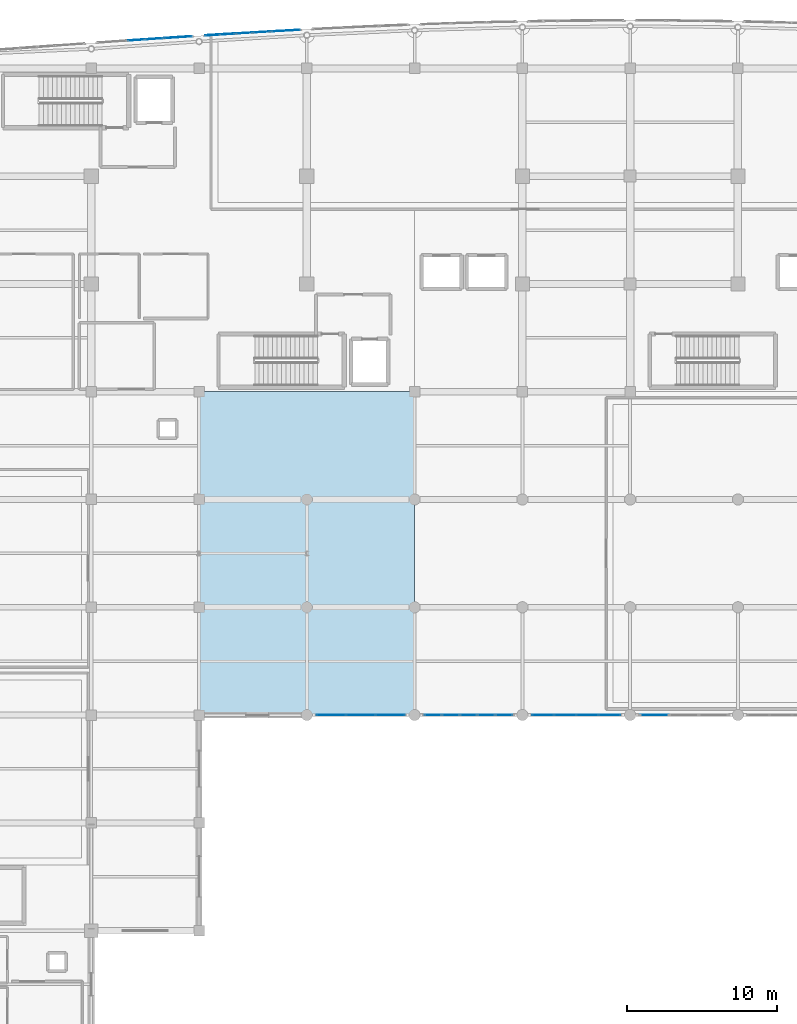
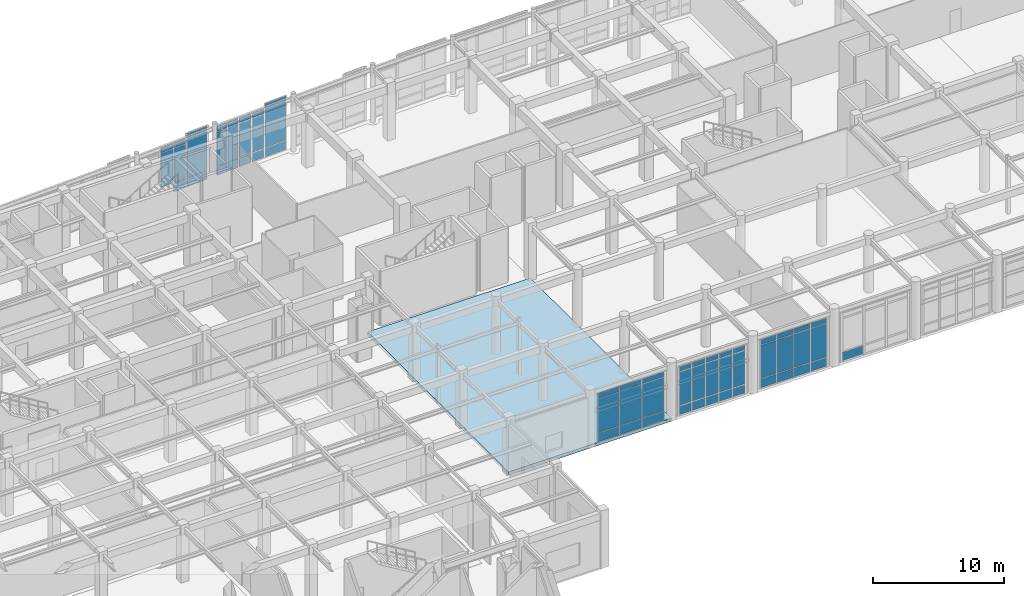
# One storey, part 64 of 102: 60 plates, 1 slab, 9 elements without a shape of their own.
"""IFC4 building model written with IfcOpenShell, lengths in metres."""

from ifc_helpers import new_model, si_unit, direction, frame, origin, origin_2d, place, context, subcontext, project, spatial, polyline, rectangle, outline, extrude, material, layer, layer_set, type_object, element, aggregate, save


model = new_model("IFC4")

# Units and contexts
model_context = context("Model", 3, precision=1e-05, world=origin(), true_north=direction((0.0, 1.0)))
body_context = subcontext(model_context, "Body", "Model", "MODEL_VIEW")
ifc_project = project(units=[si_unit("LENGTHUNIT", "METRE"), si_unit("AREAUNIT", "SQUARE_METRE"), si_unit("VOLUMEUNIT", "CUBIC_METRE"), si_unit("PLANEANGLEUNIT", "RADIAN"), si_unit("MASSUNIT", "GRAM", prefix="KILO")], contexts=[model_context])

# Site, building, storey
site_placement = place(None, origin())
site = spatial("IfcSite", under=ifc_project, at=site_placement, CompositionType="ELEMENT")
building_placement = place(site_placement, origin())
building = spatial("IfcBuilding", under=site, at=building_placement, Name="Carrowvane Square Congress Hotel", CompositionType="ELEMENT")
storey_placement = place(building_placement, origin())
storey = spatial("IfcBuildingStorey", under=building, at=storey_placement, Name="L00", CompositionType="ELEMENT", Elevation=0.0)

# Curtain wall, plates
ifc_material_1 = material(Name="Anodised aluminium", Category="aluminium")
ifc_layer_1 = layer(ifc_material_1, 0.24609375)
ifc_layer_set_1 = layer_set([ifc_layer_1], Name="Anodised aluminium")
curtain_wall_type_1 = type_object("IfcCurtainWallType", Name="CW-SYS-8", PredefinedType="NOTDEFINED", material=ifc_layer_set_1)
curtain_wall_1_placement = place(storey_placement, origin())
curtain_wall_1 = element("IfcCurtainWall", 1, at=curtain_wall_1_placement, inside=storey, type_object=curtain_wall_type_1, Name="L00 unitised curtain wall 15", PredefinedType="NOTDEFINED")
ifc_material_2 = material(Name="Double-glazed low-E glass", Category="glass")
ifc_layer_2 = layer(ifc_material_2, 0.028076171875)
ifc_layer_set_2 = layer_set([ifc_layer_2], Name="Double-glazed low-E glass")
plate_type_1 = type_object("IfcPlateType", Name="CW-PAN-1", PredefinedType="CURTAIN_PANEL", material=ifc_layer_set_2)
plate_1_placement = place(storey_placement, frame((72.217529296875, 115.7607421875, 0.070068359375), z_axis=(0.0, 0.0, 1.0), x_axis=(0.998266763162, 0.058851249486, 0.0)))
plate_1 = element("IfcPlate", 2, at=plate_1_placement, type_object=plate_type_1, Name="CW-8 panel 1.1", PredefinedType="CURTAIN_PANEL", context=body_context, shape_type="SweptSolid", body=[
    extrude(rectangle(XDim=1.09716796875, YDim=0.028076171875, at=origin_2d()), origin(), (0.0, 0.0, 1.0), 0.794921875),
])
plate_2_placement = place(storey_placement, frame((72.217529296875, 115.7607421875, 0.93505859375), z_axis=(0.0, 0.0, 1.0), x_axis=(0.998266763162, 0.058851249486, 0.0)))
plate_2 = element("IfcPlate", 3, at=plate_2_placement, type_object=plate_type_1, Name="CW-8 panel 1.2", PredefinedType="CURTAIN_PANEL", context=body_context, shape_type="SweptSolid", body=[
    extrude(rectangle(XDim=1.09716796875, YDim=0.028076171875, at=origin_2d()), origin(), (0.0, 0.0, 1.0), 3.155517578125),
])
plate_3_placement = place(storey_placement, frame((72.217529296875, 115.7607421875, 4.16064453125), z_axis=(0.0, 0.0, 1.0), x_axis=(0.998266763162, 0.058851249486, 0.0)))
plate_3 = element("IfcPlate", 4, at=plate_3_placement, type_object=plate_type_1, Name="CW-8 panel 1.3", PredefinedType="CURTAIN_PANEL", context=body_context, shape_type="SweptSolid", body=[
    extrude(rectangle(XDim=1.09716796875, YDim=0.028076171875, at=origin_2d()), origin(), (0.0, 0.0, 1.0), 0.445068359375),
])
plate_4_placement = place(storey_placement, frame((73.382568359375, 115.829345703125, 0.070068359375), z_axis=(0.0, 0.0, 1.0), x_axis=(0.998266763162, 0.058851249486, 0.0)))
plate_4 = element("IfcPlate", 5, at=plate_4_placement, type_object=plate_type_1, Name="CW-8 panel 2.1", PredefinedType="CURTAIN_PANEL", context=body_context, shape_type="SweptSolid", body=[
    extrude(rectangle(XDim=1.09716796875, YDim=0.028076171875, at=origin_2d()), origin(), (0.0, 0.0, 1.0), 0.794921875),
])
plate_5_placement = place(storey_placement, frame((73.382568359375, 115.829345703125, 0.93505859375), z_axis=(0.0, 0.0, 1.0), x_axis=(0.998266763162, 0.058851249486, 0.0)))
plate_5 = element("IfcPlate", 6, at=plate_5_placement, type_object=plate_type_1, Name="CW-8 panel 2.2", PredefinedType="CURTAIN_PANEL", context=body_context, shape_type="SweptSolid", body=[
    extrude(rectangle(XDim=1.09716796875, YDim=0.028076171875, at=origin_2d()), origin(), (0.0, 0.0, 1.0), 3.155517578125),
])
plate_6_placement = place(storey_placement, frame((73.382568359375, 115.829345703125, 4.16064453125), z_axis=(0.0, 0.0, 1.0), x_axis=(0.998266763162, 0.058851249486, 0.0)))
plate_6 = element("IfcPlate", 7, at=plate_6_placement, type_object=plate_type_1, Name="CW-8 panel 2.3", PredefinedType="CURTAIN_PANEL", context=body_context, shape_type="SweptSolid", body=[
    extrude(rectangle(XDim=1.09716796875, YDim=0.028076171875, at=origin_2d()), origin(), (0.0, 0.0, 1.0), 0.445068359375),
])
aggregate(curtain_wall_1, [plate_1, plate_2, plate_3, plate_4, plate_5, plate_6])

curtain_wall_2_placement = place(storey_placement, origin())
curtain_wall_2 = element("IfcCurtainWall", 8, at=curtain_wall_2_placement, inside=storey, type_object=curtain_wall_type_1, Name="L00 unitised curtain wall 55", PredefinedType="NOTDEFINED")
plate_7_placement = place(storey_placement, frame((89.570556640625, 70.199951171875, 0.070068359375), z_axis=(0.0, 0.0, 1.0), x_axis=(-1.0, 0.0, 0.0)))
plate_7 = element("IfcPlate", 9, at=plate_7_placement, type_object=plate_type_1, Name="CW-8 panel 1.1", PredefinedType="CURTAIN_PANEL", context=body_context, shape_type="SweptSolid", body=[
    extrude(rectangle(XDim=1.089111328125, YDim=0.028076171875, at=origin_2d()), origin(), (0.0, 0.0, 1.0), 0.794921875),
])
plate_8_placement = place(storey_placement, frame((89.570556640625, 70.199951171875, 0.93505859375), z_axis=(0.0, 0.0, 1.0), x_axis=(-1.0, 0.0, 0.0)))
plate_8 = element("IfcPlate", 10, at=plate_8_placement, type_object=plate_type_1, Name="CW-8 panel 1.2", PredefinedType="CURTAIN_PANEL", context=body_context, shape_type="SweptSolid", body=[
    extrude(rectangle(XDim=1.089111328125, YDim=0.028076171875, at=origin_2d()), origin(), (0.0, 0.0, 1.0), 3.10498046875),
])
plate_9_placement = place(storey_placement, frame((89.570556640625, 70.199951171875, 4.10986328125), z_axis=(0.0, 0.0, 1.0), x_axis=(-1.0, 0.0, 0.0)))
plate_9 = element("IfcPlate", 11, at=plate_9_placement, type_object=plate_type_1, Name="CW-8 panel 1.3", PredefinedType="CURTAIN_PANEL", context=body_context, shape_type="SweptSolid", body=[
    extrude(rectangle(XDim=1.089111328125, YDim=0.028076171875, at=origin_2d()), origin(), (0.0, 0.0, 1.0), 0.445068359375),
])
plate_10_placement = place(storey_placement, frame((88.39404296875, 70.199951171875, 0.070068359375), z_axis=(0.0, 0.0, 1.0), x_axis=(-1.0, 0.0, 0.0)))
plate_10 = element("IfcPlate", 12, at=plate_10_placement, type_object=plate_type_1, Name="CW-8 panel 2.1", PredefinedType="CURTAIN_PANEL", context=body_context, shape_type="SweptSolid", body=[
    extrude(rectangle(XDim=1.1240234375, YDim=0.028076171875, at=origin_2d()), origin(), (0.0, 0.0, 1.0), 0.794921875),
])
plate_11_placement = place(storey_placement, frame((88.39404296875, 70.199951171875, 0.93505859375), z_axis=(0.0, 0.0, 1.0), x_axis=(-1.0, 0.0, 0.0)))
plate_11 = element("IfcPlate", 13, at=plate_11_placement, type_object=plate_type_1, Name="CW-8 panel 2.2", PredefinedType="CURTAIN_PANEL", context=body_context, shape_type="SweptSolid", body=[
    extrude(rectangle(XDim=1.1240234375, YDim=0.028076171875, at=origin_2d()), origin(), (0.0, 0.0, 1.0), 3.10498046875),
])
plate_12_placement = place(storey_placement, frame((88.39404296875, 70.199951171875, 4.10986328125), z_axis=(0.0, 0.0, 1.0), x_axis=(-1.0, 0.0, 0.0)))
plate_12 = element("IfcPlate", 14, at=plate_12_placement, type_object=plate_type_1, Name="CW-8 panel 2.3", PredefinedType="CURTAIN_PANEL", context=body_context, shape_type="SweptSolid", body=[
    extrude(rectangle(XDim=1.1240234375, YDim=0.028076171875, at=origin_2d()), origin(), (0.0, 0.0, 1.0), 0.445068359375),
])
plate_13_placement = place(storey_placement, frame((87.199951171875, 70.199951171875, 0.070068359375), z_axis=(0.0, 0.0, 1.0), x_axis=(-1.0, 0.0, 0.0)))
plate_13 = element("IfcPlate", 15, at=plate_13_placement, type_object=plate_type_1, Name="CW-8 panel 3.1", PredefinedType="CURTAIN_PANEL", context=body_context, shape_type="SweptSolid", body=[
    extrude(rectangle(XDim=1.1240234375, YDim=0.028076171875, at=origin_2d()), origin(), (0.0, 0.0, 1.0), 0.794921875),
])
plate_14_placement = place(storey_placement, frame((87.199951171875, 70.199951171875, 0.93505859375), z_axis=(0.0, 0.0, 1.0), x_axis=(-1.0, 0.0, 0.0)))
plate_14 = element("IfcPlate", 16, at=plate_14_placement, type_object=plate_type_1, Name="CW-8 panel 3.2", PredefinedType="CURTAIN_PANEL", context=body_context, shape_type="SweptSolid", body=[
    extrude(rectangle(XDim=1.1240234375, YDim=0.028076171875, at=origin_2d()), origin(), (0.0, 0.0, 1.0), 3.10498046875),
])
plate_15_placement = place(storey_placement, frame((87.199951171875, 70.199951171875, 4.10986328125), z_axis=(0.0, 0.0, 1.0), x_axis=(-1.0, 0.0, 0.0)))
plate_15 = element("IfcPlate", 17, at=plate_15_placement, type_object=plate_type_1, Name="CW-8 panel 3.3", PredefinedType="CURTAIN_PANEL", context=body_context, shape_type="SweptSolid", body=[
    extrude(rectangle(XDim=1.1240234375, YDim=0.028076171875, at=origin_2d()), origin(), (0.0, 0.0, 1.0), 0.445068359375),
])
plate_16_placement = place(storey_placement, frame((86.006103515625, 70.199951171875, 0.070068359375), z_axis=(0.0, 0.0, 1.0), x_axis=(-1.0, 0.0, 0.0)))
plate_16 = element("IfcPlate", 18, at=plate_16_placement, type_object=plate_type_1, Name="CW-8 panel 4.1", PredefinedType="CURTAIN_PANEL", context=body_context, shape_type="SweptSolid", body=[
    extrude(rectangle(XDim=1.1240234375, YDim=0.028076171875, at=origin_2d()), origin(), (0.0, 0.0, 1.0), 0.794921875),
])
plate_17_placement = place(storey_placement, frame((86.006103515625, 70.199951171875, 0.93505859375), z_axis=(0.0, 0.0, 1.0), x_axis=(-1.0, 0.0, 0.0)))
plate_17 = element("IfcPlate", 19, at=plate_17_placement, type_object=plate_type_1, Name="CW-8 panel 4.2", PredefinedType="CURTAIN_PANEL", context=body_context, shape_type="SweptSolid", body=[
    extrude(rectangle(XDim=1.1240234375, YDim=0.028076171875, at=origin_2d()), origin(), (0.0, 0.0, 1.0), 3.10498046875),
])
plate_18_placement = place(storey_placement, frame((86.006103515625, 70.199951171875, 4.10986328125), z_axis=(0.0, 0.0, 1.0), x_axis=(-1.0, 0.0, 0.0)))
plate_18 = element("IfcPlate", 20, at=plate_18_placement, type_object=plate_type_1, Name="CW-8 panel 4.3", PredefinedType="CURTAIN_PANEL", context=body_context, shape_type="SweptSolid", body=[
    extrude(rectangle(XDim=1.1240234375, YDim=0.028076171875, at=origin_2d()), origin(), (0.0, 0.0, 1.0), 0.445068359375),
])
plate_19_placement = place(storey_placement, frame((84.82958984375, 70.199951171875, 0.070068359375), z_axis=(0.0, 0.0, 1.0), x_axis=(-1.0, 0.0, 0.0)))
plate_19 = element("IfcPlate", 21, at=plate_19_placement, type_object=plate_type_1, Name="CW-8 panel 5.1", PredefinedType="CURTAIN_PANEL", context=body_context, shape_type="SweptSolid", body=[
    extrude(rectangle(XDim=1.089111328125, YDim=0.028076171875, at=origin_2d()), origin(), (0.0, 0.0, 1.0), 0.794921875),
])
plate_20_placement = place(storey_placement, frame((84.82958984375, 70.199951171875, 0.93505859375), z_axis=(0.0, 0.0, 1.0), x_axis=(-1.0, 0.0, 0.0)))
plate_20 = element("IfcPlate", 22, at=plate_20_placement, type_object=plate_type_1, Name="CW-8 panel 5.2", PredefinedType="CURTAIN_PANEL", context=body_context, shape_type="SweptSolid", body=[
    extrude(rectangle(XDim=1.089111328125, YDim=0.028076171875, at=origin_2d()), origin(), (0.0, 0.0, 1.0), 3.10498046875),
])
plate_21_placement = place(storey_placement, frame((84.82958984375, 70.199951171875, 4.10986328125), z_axis=(0.0, 0.0, 1.0), x_axis=(-1.0, 0.0, 0.0)))
plate_21 = element("IfcPlate", 23, at=plate_21_placement, type_object=plate_type_1, Name="CW-8 panel 5.3", PredefinedType="CURTAIN_PANEL", context=body_context, shape_type="SweptSolid", body=[
    extrude(rectangle(XDim=1.089111328125, YDim=0.028076171875, at=origin_2d()), origin(), (0.0, 0.0, 1.0), 0.445068359375),
])
aggregate(curtain_wall_2, [plate_7, plate_8, plate_9, plate_10, plate_11, plate_12, plate_13, plate_14, plate_15, plate_16, plate_17, plate_18, plate_19, plate_20, plate_21])

ifc_material_3 = material(Name="Anodised aluminium", Category="aluminium")
ifc_layer_3 = layer(ifc_material_3, 0.162109375)
ifc_layer_set_3 = layer_set([ifc_layer_3], Name="Anodised aluminium")
curtain_wall_type_2 = type_object("IfcCurtainWallType", Name="CW-SYS-1", PredefinedType="NOTDEFINED", material=ifc_layer_set_3)
curtain_wall_3_placement = place(storey_placement, origin())
curtain_wall_3 = element("IfcCurtainWall", 24, at=curtain_wall_3_placement, inside=storey, type_object=curtain_wall_type_2, Name="L00 unitised curtain wall 16", PredefinedType="NOTDEFINED")
ifc_material_4 = material(Name="Double-glazed low-E glass", Category="glass")
ifc_layer_4 = layer(ifc_material_4, 0.031982421875)
ifc_layer_set_4 = layer_set([ifc_layer_4], Name="Double-glazed low-E glass")
plate_type_2 = type_object("IfcPlateType", Name="CW-PAN-2", PredefinedType="CURTAIN_PANEL", material=ifc_layer_set_4)
plate_22_placement = place(storey_placement, frame((74.997802734375, 115.920654296875, 0.06005859375), z_axis=(0.0, 0.0, 1.0), x_axis=(0.998496473856, 0.054815980317, 0.0)))
plate_22 = element("IfcPlate", 25, at=plate_22_placement, type_object=plate_type_2, Name="CW-1 panel 1.1", PredefinedType="CURTAIN_PANEL", context=body_context, shape_type="SweptSolid", body=[
    extrude(rectangle(XDim=1.87841796875, YDim=0.031982421875, at=origin_2d()), origin(), (0.0, 0.0, 1.0), 0.81005859375),
])
plate_23_placement = place(storey_placement, frame((74.997802734375, 115.920654296875, 0.93017578125), z_axis=(0.0, 0.0, 1.0), x_axis=(0.998496473856, 0.054815980317, 0.0)))
plate_23 = element("IfcPlate", 26, at=plate_23_placement, type_object=plate_type_2, Name="CW-1 panel 1.2", PredefinedType="CURTAIN_PANEL", context=body_context, shape_type="SweptSolid", body=[
    extrude(rectangle(XDim=1.87841796875, YDim=0.031982421875, at=origin_2d()), origin(), (0.0, 0.0, 1.0), 3.590087890625),
])
plate_24_placement = place(storey_placement, frame((74.997802734375, 115.920654296875, 4.580078125), z_axis=(0.0, 0.0, 1.0), x_axis=(0.998496473856, 0.054815980317, 0.0)))
plate_24 = element("IfcPlate", 27, at=plate_24_placement, type_object=plate_type_2, Name="CW-1 panel 1.3", PredefinedType="CURTAIN_PANEL", context=body_context, shape_type="SweptSolid", body=[
    extrude(rectangle(XDim=1.87841796875, YDim=0.031982421875, at=origin_2d()), origin(), (0.0, 0.0, 1.0), 0.4599609375),
])
aggregate(curtain_wall_3, [plate_22, plate_23, plate_24])

curtain_wall_4_placement = place(storey_placement, origin())
curtain_wall_4 = element("IfcCurtainWall", 28, at=curtain_wall_4_placement, inside=storey, type_object=curtain_wall_type_2, Name="L00 unitised curtain wall 56", PredefinedType="NOTDEFINED")
plate_25_placement = place(storey_placement, frame((81.97509765625, 70.199951171875, 0.06005859375), z_axis=(0.0, 0.0, 1.0), x_axis=(-1.0, 0.0, 0.0)))
plate_25 = element("IfcPlate", 29, at=plate_25_placement, type_object=plate_type_2, Name="CW-1 panel 1.1", PredefinedType="CURTAIN_PANEL", context=body_context, shape_type="SweptSolid", body=[
    extrude(rectangle(XDim=1.89990234375, YDim=0.031982421875, at=origin_2d()), origin(), (0.0, 0.0, 1.0), 0.81005859375),
])
plate_26_placement = place(storey_placement, frame((81.97509765625, 70.199951171875, 0.93017578125), z_axis=(0.0, 0.0, 1.0), x_axis=(-1.0, 0.0, 0.0)))
plate_26 = element("IfcPlate", 30, at=plate_26_placement, type_object=plate_type_2, Name="CW-1 panel 1.2", PredefinedType="CURTAIN_PANEL", context=body_context, shape_type="SweptSolid", body=[
    extrude(rectangle(XDim=1.89990234375, YDim=0.031982421875, at=origin_2d()), origin(), (0.0, 0.0, 1.0), 3.114990234375),
])
plate_27_placement = place(storey_placement, frame((81.97509765625, 70.199951171875, 4.10498046875), z_axis=(0.0, 0.0, 1.0), x_axis=(-1.0, 0.0, 0.0)))
plate_27 = element("IfcPlate", 31, at=plate_27_placement, type_object=plate_type_2, Name="CW-1 panel 1.3", PredefinedType="CURTAIN_PANEL", context=body_context, shape_type="SweptSolid", body=[
    extrude(rectangle(XDim=1.89990234375, YDim=0.031982421875, at=origin_2d()), origin(), (0.0, 0.0, 1.0), 0.4599609375),
])
plate_28_placement = place(storey_placement, frame((80.0, 70.199951171875, 0.06005859375), z_axis=(0.0, 0.0, 1.0), x_axis=(-1.0, 0.0, 0.0)))
plate_28 = element("IfcPlate", 32, at=plate_28_placement, type_object=plate_type_2, Name="CW-1 panel 2.1", PredefinedType="CURTAIN_PANEL", context=body_context, shape_type="SweptSolid", body=[
    extrude(rectangle(XDim=1.929931640625, YDim=0.031982421875, at=origin_2d()), origin(), (0.0, 0.0, 1.0), 0.81005859375),
])
plate_29_placement = place(storey_placement, frame((80.0, 70.199951171875, 0.93017578125), z_axis=(0.0, 0.0, 1.0), x_axis=(-1.0, 0.0, 0.0)))
plate_29 = element("IfcPlate", 33, at=plate_29_placement, type_object=plate_type_2, Name="CW-1 panel 2.2", PredefinedType="CURTAIN_PANEL", context=body_context, shape_type="SweptSolid", body=[
    extrude(rectangle(XDim=1.929931640625, YDim=0.031982421875, at=origin_2d()), origin(), (0.0, 0.0, 1.0), 3.114990234375),
])
plate_30_placement = place(storey_placement, frame((80.0, 70.199951171875, 4.10498046875), z_axis=(0.0, 0.0, 1.0), x_axis=(-1.0, 0.0, 0.0)))
plate_30 = element("IfcPlate", 34, at=plate_30_placement, type_object=plate_type_2, Name="CW-1 panel 2.3", PredefinedType="CURTAIN_PANEL", context=body_context, shape_type="SweptSolid", body=[
    extrude(rectangle(XDim=1.929931640625, YDim=0.031982421875, at=origin_2d()), origin(), (0.0, 0.0, 1.0), 0.4599609375),
])
plate_31_placement = place(storey_placement, frame((78.02490234375, 70.199951171875, 0.06005859375), z_axis=(0.0, 0.0, 1.0), x_axis=(-1.0, 0.0, 0.0)))
plate_31 = element("IfcPlate", 35, at=plate_31_placement, type_object=plate_type_2, Name="CW-1 panel 3.1", PredefinedType="CURTAIN_PANEL", context=body_context, shape_type="SweptSolid", body=[
    extrude(rectangle(XDim=1.89990234375, YDim=0.031982421875, at=origin_2d()), origin(), (0.0, 0.0, 1.0), 0.81005859375),
])
plate_32_placement = place(storey_placement, frame((78.02490234375, 70.199951171875, 0.93017578125), z_axis=(0.0, 0.0, 1.0), x_axis=(-1.0, 0.0, 0.0)))
plate_32 = element("IfcPlate", 36, at=plate_32_placement, type_object=plate_type_2, Name="CW-1 panel 3.2", PredefinedType="CURTAIN_PANEL", context=body_context, shape_type="SweptSolid", body=[
    extrude(rectangle(XDim=1.89990234375, YDim=0.031982421875, at=origin_2d()), origin(), (0.0, 0.0, 1.0), 3.114990234375),
])
plate_33_placement = place(storey_placement, frame((78.02490234375, 70.199951171875, 4.10498046875), z_axis=(0.0, 0.0, 1.0), x_axis=(-1.0, 0.0, 0.0)))
plate_33 = element("IfcPlate", 37, at=plate_33_placement, type_object=plate_type_2, Name="CW-1 panel 3.3", PredefinedType="CURTAIN_PANEL", context=body_context, shape_type="SweptSolid", body=[
    extrude(rectangle(XDim=1.89990234375, YDim=0.031982421875, at=origin_2d()), origin(), (0.0, 0.0, 1.0), 0.4599609375),
])
aggregate(curtain_wall_4, [plate_25, plate_26, plate_27, plate_28, plate_29, plate_30, plate_31, plate_32, plate_33])

ifc_material_5 = material(Name="Anodised aluminium", Category="aluminium")
ifc_layer_5 = layer(ifc_material_5, 0.2099609375)
ifc_layer_set_5 = layer_set([ifc_layer_5], Name="Anodised aluminium")
curtain_wall_type_3 = type_object("IfcCurtainWallType", Name="CW-SYS-5", PredefinedType="NOTDEFINED", material=ifc_layer_set_5)
curtain_wall_5_placement = place(storey_placement, origin())
curtain_wall_5 = element("IfcCurtainWall", 38, at=curtain_wall_5_placement, inside=storey, type_object=curtain_wall_type_3, Name="L00 unitised curtain wall 12", PredefinedType="NOTDEFINED")
ifc_material_6 = material(Name="Double-glazed low-E glass", Category="glass")
ifc_layer_6 = layer(ifc_material_6, 0.035888671875)
ifc_layer_set_6 = layer_set([ifc_layer_6], Name="Double-glazed low-E glass")
plate_type_3 = type_object("IfcPlateType", Name="CW-PAN-3", PredefinedType="CURTAIN_PANEL", material=ifc_layer_set_6)
plate_34_placement = place(storey_placement, frame((65.014892578125, 115.295654296875, 0.929931640625), z_axis=(0.0, 0.0, 1.0), x_axis=(0.997694484404, 0.067865424104, 0.0)))
plate_34 = element("IfcPlate", 39, at=plate_34_placement, type_object=plate_type_3, Name="CW-5 panel 1.2", PredefinedType="CURTAIN_PANEL", context=body_context, shape_type="SweptSolid", body=[
    extrude(rectangle(XDim=1.11279296875, YDim=0.035888671875, at=origin_2d()), origin(), (0.0, 0.0, 1.0), 3.16552734375),
])
plate_35_placement = place(storey_placement, frame((65.014892578125, 115.295654296875, 4.155517578125), z_axis=(0.0, 0.0, 1.0), x_axis=(0.997694484404, 0.067865424104, 0.0)))
plate_35 = element("IfcPlate", 40, at=plate_35_placement, type_object=plate_type_3, Name="CW-5 panel 1.3", PredefinedType="CURTAIN_PANEL", context=body_context, shape_type="SweptSolid", body=[
    extrude(rectangle(XDim=1.11279296875, YDim=0.035888671875, at=origin_2d()), origin(), (0.0, 0.0, 1.0), 0.4599609375),
])
plate_36_placement = place(storey_placement, frame((66.18505859375, 115.375244140625, 0.06005859375), z_axis=(0.0, 0.0, 1.0), x_axis=(0.997694484404, 0.067865424104, 0.0)))
plate_36 = element("IfcPlate", 41, at=plate_36_placement, type_object=plate_type_3, Name="CW-5 panel 2.1", PredefinedType="CURTAIN_PANEL", context=body_context, shape_type="SweptSolid", body=[
    extrude(rectangle(XDim=1.11279296875, YDim=0.035888671875, at=origin_2d()), origin(), (0.0, 0.0, 1.0), 0.81005859375),
])
plate_37_placement = place(storey_placement, frame((66.18505859375, 115.375244140625, 0.929931640625), z_axis=(0.0, 0.0, 1.0), x_axis=(0.997694484404, 0.067865424104, 0.0)))
plate_37 = element("IfcPlate", 42, at=plate_37_placement, type_object=plate_type_3, Name="CW-5 panel 2.2", PredefinedType="CURTAIN_PANEL", context=body_context, shape_type="SweptSolid", body=[
    extrude(rectangle(XDim=1.11279296875, YDim=0.035888671875, at=origin_2d()), origin(), (0.0, 0.0, 1.0), 3.16552734375),
])
plate_38_placement = place(storey_placement, frame((66.18505859375, 115.375244140625, 4.155517578125), z_axis=(0.0, 0.0, 1.0), x_axis=(0.997694484404, 0.067865424104, 0.0)))
plate_38 = element("IfcPlate", 43, at=plate_38_placement, type_object=plate_type_3, Name="CW-5 panel 2.3", PredefinedType="CURTAIN_PANEL", context=body_context, shape_type="SweptSolid", body=[
    extrude(rectangle(XDim=1.11279296875, YDim=0.035888671875, at=origin_2d()), origin(), (0.0, 0.0, 1.0), 0.4599609375),
])
aggregate(curtain_wall_5, [plate_34, plate_35, plate_36, plate_37, plate_38])

ifc_material_7 = material(Name="Anodised aluminium", Category="aluminium")
ifc_layer_7 = layer(ifc_material_7, 0.221923828125)
ifc_layer_set_7 = layer_set([ifc_layer_7], Name="Anodised aluminium")
curtain_wall_type_4 = type_object("IfcCurtainWallType", Name="CW-SYS-6", PredefinedType="NOTDEFINED", material=ifc_layer_set_7)
curtain_wall_6_placement = place(storey_placement, origin())
curtain_wall_6 = element("IfcCurtainWall", 44, at=curtain_wall_6_placement, inside=storey, type_object=curtain_wall_type_4, Name="L00 unitised curtain wall 13", PredefinedType="NOTDEFINED")
ifc_material_8 = material(Name="Double-glazed low-E glass", Category="glass")
ifc_layer_8 = layer(ifc_material_8, 0.0419921875)
ifc_layer_set_8 = layer_set([ifc_layer_8], Name="Double-glazed low-E glass")
plate_type_4 = type_object("IfcPlateType", Name="CW-PAN-4", PredefinedType="CURTAIN_PANEL", material=ifc_layer_set_8)
plate_39_placement = place(storey_placement, frame((67.795654296875, 115.482177734375, 0.070068359375), z_axis=(0.0, 0.0, 1.0), x_axis=(0.997858327155, 0.065412223074, 0.0)))
plate_39 = element("IfcPlate", 45, at=plate_39_placement, type_object=plate_type_4, Name="CW-6 panel 1.1", PredefinedType="CURTAIN_PANEL", context=body_context, shape_type="SweptSolid", body=[
    extrude(rectangle(XDim=1.855712890625, YDim=0.0419921875, at=origin_2d()), origin(), (0.0, 0.0, 1.0), 0.794921875),
])
plate_40_placement = place(storey_placement, frame((67.795654296875, 115.482177734375, 0.93505859375), z_axis=(0.0, 0.0, 1.0), x_axis=(0.997858327155, 0.065412223074, 0.0)))
plate_40 = element("IfcPlate", 46, at=plate_40_placement, type_object=plate_type_4, Name="CW-6 panel 1.2", PredefinedType="CURTAIN_PANEL", context=body_context, shape_type="SweptSolid", body=[
    extrude(rectangle(XDim=1.855712890625, YDim=0.0419921875, at=origin_2d()), origin(), (0.0, 0.0, 1.0), 3.580078125),
])
plate_41_placement = place(storey_placement, frame((67.795654296875, 115.482177734375, 4.5849609375), z_axis=(0.0, 0.0, 1.0), x_axis=(0.997858327155, 0.065412223074, 0.0)))
plate_41 = element("IfcPlate", 47, at=plate_41_placement, type_object=plate_type_4, Name="CW-6 panel 1.3", PredefinedType="CURTAIN_PANEL", context=body_context, shape_type="SweptSolid", body=[
    extrude(rectangle(XDim=1.855712890625, YDim=0.0419921875, at=origin_2d()), origin(), (0.0, 0.0, 1.0), 0.445068359375),
])
aggregate(curtain_wall_6, [plate_39, plate_40, plate_41])

# Curtain wall, plate
curtain_wall_7_placement = place(storey_placement, origin())
curtain_wall_7 = element("IfcCurtainWall", 48, at=curtain_wall_7_placement, inside=storey, type_object=curtain_wall_type_4, Name="L00 unitised curtain wall 53", PredefinedType="NOTDEFINED")
plate_42_placement = place(storey_placement, frame((99.62744140625, 70.199951171875, 0.070068359375), z_axis=(0.0, 0.0, 1.0), x_axis=(-1.0, 0.0, 0.0)))
plate_42 = element("IfcPlate", 49, at=plate_42_placement, type_object=plate_type_4, Name="CW-6 panel 3.1", PredefinedType="CURTAIN_PANEL", context=body_context, shape_type="SweptSolid", body=[
    extrude(rectangle(XDim=1.885009765625, YDim=0.0419921875, at=origin_2d()), origin(), (0.0, 0.0, 1.0), 0.794921875),
])
aggregate(curtain_wall_7, [plate_42])

# Curtain wall, plates
ifc_material_9 = material(Name="Anodised aluminium", Category="aluminium")
ifc_layer_9 = layer(ifc_material_9, 0.23388671875)
ifc_layer_set_9 = layer_set([ifc_layer_9], Name="Anodised aluminium")
curtain_wall_type_5 = type_object("IfcCurtainWallType", Name="CW-SYS-7", PredefinedType="NOTDEFINED", material=ifc_layer_set_9)
curtain_wall_8_placement = place(storey_placement, origin())
curtain_wall_8 = element("IfcCurtainWall", 50, at=curtain_wall_8_placement, inside=storey, type_object=curtain_wall_type_5, Name="L00 unitised curtain wall 14", PredefinedType="NOTDEFINED")
ifc_material_10 = material(Name="Double-glazed low-E glass", Category="glass")
ifc_layer_10 = layer(ifc_material_10, 0.048095703125)
ifc_layer_set_10 = layer_set([ifc_layer_10], Name="Double-glazed low-E glass")
plate_type_5 = type_object("IfcPlateType", Name="CW-PAN-5", PredefinedType="CURTAIN_PANEL", material=ifc_layer_set_10)
plate_43_placement = place(storey_placement, frame((70.0849609375, 115.629638671875, 0.06005859375), z_axis=(0.0, 0.0, 1.0), x_axis=(0.998051378998, 0.062397474952, 0.0)))
plate_43 = element("IfcPlate", 51, at=plate_43_placement, type_object=plate_type_5, Name="CW-7 panel 1.1", PredefinedType="CURTAIN_PANEL", context=body_context, shape_type="SweptSolid", body=[
    extrude(rectangle(XDim=0.931884765625, YDim=0.048095703125, at=origin_2d()), origin(), (0.0, 0.0, 1.0), 0.81005859375),
])
plate_44_placement = place(storey_placement, frame((70.0849609375, 115.629638671875, 0.929931640625), z_axis=(0.0, 0.0, 1.0), x_axis=(0.998051378998, 0.062397474952, 0.0)))
plate_44 = element("IfcPlate", 52, at=plate_44_placement, type_object=plate_type_5, Name="CW-7 panel 1.2", PredefinedType="CURTAIN_PANEL", context=body_context, shape_type="SweptSolid", body=[
    extrude(rectangle(XDim=0.931884765625, YDim=0.048095703125, at=origin_2d()), origin(), (0.0, 0.0, 1.0), 3.16552734375),
])
plate_45_placement = place(storey_placement, frame((70.0849609375, 115.629638671875, 4.155517578125), z_axis=(0.0, 0.0, 1.0), x_axis=(0.998051378998, 0.062397474952, 0.0)))
plate_45 = element("IfcPlate", 53, at=plate_45_placement, type_object=plate_type_5, Name="CW-7 panel 1.3", PredefinedType="CURTAIN_PANEL", context=body_context, shape_type="SweptSolid", body=[
    extrude(rectangle(XDim=0.931884765625, YDim=0.048095703125, at=origin_2d()), origin(), (0.0, 0.0, 1.0), 0.4599609375),
])
plate_46_placement = place(storey_placement, frame((71.074951171875, 115.69140625, 0.06005859375), z_axis=(0.0, 0.0, 1.0), x_axis=(0.998051378998, 0.062397474952, 0.0)))
plate_46 = element("IfcPlate", 54, at=plate_46_placement, type_object=plate_type_5, Name="CW-7 panel 2.1", PredefinedType="CURTAIN_PANEL", context=body_context, shape_type="SweptSolid", body=[
    extrude(rectangle(XDim=0.931884765625, YDim=0.048095703125, at=origin_2d()), origin(), (0.0, 0.0, 1.0), 0.81005859375),
])
plate_47_placement = place(storey_placement, frame((71.074951171875, 115.69140625, 0.929931640625), z_axis=(0.0, 0.0, 1.0), x_axis=(0.998051378998, 0.062397474952, 0.0)))
plate_47 = element("IfcPlate", 55, at=plate_47_placement, type_object=plate_type_5, Name="CW-7 panel 2.2", PredefinedType="CURTAIN_PANEL", context=body_context, shape_type="SweptSolid", body=[
    extrude(rectangle(XDim=0.931884765625, YDim=0.048095703125, at=origin_2d()), origin(), (0.0, 0.0, 1.0), 3.16552734375),
])
plate_48_placement = place(storey_placement, frame((71.074951171875, 115.69140625, 4.155517578125), z_axis=(0.0, 0.0, 1.0), x_axis=(0.998051378998, 0.062397474952, 0.0)))
plate_48 = element("IfcPlate", 56, at=plate_48_placement, type_object=plate_type_5, Name="CW-7 panel 2.3", PredefinedType="CURTAIN_PANEL", context=body_context, shape_type="SweptSolid", body=[
    extrude(rectangle(XDim=0.931884765625, YDim=0.048095703125, at=origin_2d()), origin(), (0.0, 0.0, 1.0), 0.4599609375),
])
aggregate(curtain_wall_8, [plate_43, plate_44, plate_45, plate_46, plate_47, plate_48])

curtain_wall_9_placement = place(storey_placement, origin())
curtain_wall_9 = element("IfcCurtainWall", 57, at=curtain_wall_9_placement, inside=storey, type_object=curtain_wall_type_5, Name="L00 unitised curtain wall 54", PredefinedType="NOTDEFINED")
plate_49_placement = place(storey_placement, frame((96.623779296875, 70.199951171875, 0.06005859375), z_axis=(0.0, 0.0, 1.0), x_axis=(-1.0, 0.0, 0.0)))
plate_49 = element("IfcPlate", 58, at=plate_49_placement, type_object=plate_type_5, Name="CW-7 panel 1.1", PredefinedType="CURTAIN_PANEL", context=body_context, shape_type="SweptSolid", body=[
    extrude(rectangle(XDim=1.402587890625, YDim=0.048095703125, at=origin_2d()), origin(), (0.0, 0.0, 1.0), 0.81005859375),
])
plate_50_placement = place(storey_placement, frame((96.623779296875, 70.199951171875, 0.93017578125), z_axis=(0.0, 0.0, 1.0), x_axis=(-1.0, 0.0, 0.0)))
plate_50 = element("IfcPlate", 59, at=plate_50_placement, type_object=plate_type_5, Name="CW-7 panel 1.2", PredefinedType="CURTAIN_PANEL", context=body_context, shape_type="SweptSolid", body=[
    extrude(rectangle(XDim=1.402587890625, YDim=0.048095703125, at=origin_2d()), origin(), (0.0, 0.0, 1.0), 3.114990234375),
])
plate_51_placement = place(storey_placement, frame((96.623779296875, 70.199951171875, 4.10498046875), z_axis=(0.0, 0.0, 1.0), x_axis=(-1.0, 0.0, 0.0)))
plate_51 = element("IfcPlate", 60, at=plate_51_placement, type_object=plate_type_5, Name="CW-7 panel 1.3", PredefinedType="CURTAIN_PANEL", context=body_context, shape_type="SweptSolid", body=[
    extrude(rectangle(XDim=1.402587890625, YDim=0.048095703125, at=origin_2d()), origin(), (0.0, 0.0, 1.0), 0.4599609375),
])
plate_52_placement = place(storey_placement, frame((95.146240234375, 70.199951171875, 0.06005859375), z_axis=(0.0, 0.0, 1.0), x_axis=(-1.0, 0.0, 0.0)))
plate_52 = element("IfcPlate", 61, at=plate_52_placement, type_object=plate_type_5, Name="CW-7 panel 2.1", PredefinedType="CURTAIN_PANEL", context=body_context, shape_type="SweptSolid", body=[
    extrude(rectangle(XDim=1.4326171875, YDim=0.048095703125, at=origin_2d()), origin(), (0.0, 0.0, 1.0), 0.81005859375),
])
plate_53_placement = place(storey_placement, frame((95.146240234375, 70.199951171875, 0.93017578125), z_axis=(0.0, 0.0, 1.0), x_axis=(-1.0, 0.0, 0.0)))
plate_53 = element("IfcPlate", 62, at=plate_53_placement, type_object=plate_type_5, Name="CW-7 panel 2.2", PredefinedType="CURTAIN_PANEL", context=body_context, shape_type="SweptSolid", body=[
    extrude(rectangle(XDim=1.4326171875, YDim=0.048095703125, at=origin_2d()), origin(), (0.0, 0.0, 1.0), 3.114990234375),
])
plate_54_placement = place(storey_placement, frame((95.146240234375, 70.199951171875, 4.10498046875), z_axis=(0.0, 0.0, 1.0), x_axis=(-1.0, 0.0, 0.0)))
plate_54 = element("IfcPlate", 63, at=plate_54_placement, type_object=plate_type_5, Name="CW-7 panel 2.3", PredefinedType="CURTAIN_PANEL", context=body_context, shape_type="SweptSolid", body=[
    extrude(rectangle(XDim=1.4326171875, YDim=0.048095703125, at=origin_2d()), origin(), (0.0, 0.0, 1.0), 0.4599609375),
])
plate_55_placement = place(storey_placement, frame((93.65380859375, 70.199951171875, 0.06005859375), z_axis=(0.0, 0.0, 1.0), x_axis=(-1.0, 0.0, 0.0)))
plate_55 = element("IfcPlate", 64, at=plate_55_placement, type_object=plate_type_5, Name="CW-7 panel 3.1", PredefinedType="CURTAIN_PANEL", context=body_context, shape_type="SweptSolid", body=[
    extrude(rectangle(XDim=1.4326171875, YDim=0.048095703125, at=origin_2d()), origin(), (0.0, 0.0, 1.0), 0.81005859375),
])
plate_56_placement = place(storey_placement, frame((93.65380859375, 70.199951171875, 0.93017578125), z_axis=(0.0, 0.0, 1.0), x_axis=(-1.0, 0.0, 0.0)))
plate_56 = element("IfcPlate", 65, at=plate_56_placement, type_object=plate_type_5, Name="CW-7 panel 3.2", PredefinedType="CURTAIN_PANEL", context=body_context, shape_type="SweptSolid", body=[
    extrude(rectangle(XDim=1.4326171875, YDim=0.048095703125, at=origin_2d()), origin(), (0.0, 0.0, 1.0), 3.114990234375),
])
plate_57_placement = place(storey_placement, frame((93.65380859375, 70.199951171875, 4.10498046875), z_axis=(0.0, 0.0, 1.0), x_axis=(-1.0, 0.0, 0.0)))
plate_57 = element("IfcPlate", 66, at=plate_57_placement, type_object=plate_type_5, Name="CW-7 panel 3.3", PredefinedType="CURTAIN_PANEL", context=body_context, shape_type="SweptSolid", body=[
    extrude(rectangle(XDim=1.4326171875, YDim=0.048095703125, at=origin_2d()), origin(), (0.0, 0.0, 1.0), 0.4599609375),
])
plate_58_placement = place(storey_placement, frame((92.17626953125, 70.199951171875, 0.06005859375), z_axis=(0.0, 0.0, 1.0), x_axis=(-1.0, 0.0, 0.0)))
plate_58 = element("IfcPlate", 67, at=plate_58_placement, type_object=plate_type_5, Name="CW-7 panel 4.1", PredefinedType="CURTAIN_PANEL", context=body_context, shape_type="SweptSolid", body=[
    extrude(rectangle(XDim=1.402587890625, YDim=0.048095703125, at=origin_2d()), origin(), (0.0, 0.0, 1.0), 0.81005859375),
])
plate_59_placement = place(storey_placement, frame((92.17626953125, 70.199951171875, 0.93017578125), z_axis=(0.0, 0.0, 1.0), x_axis=(-1.0, 0.0, 0.0)))
plate_59 = element("IfcPlate", 68, at=plate_59_placement, type_object=plate_type_5, Name="CW-7 panel 4.2", PredefinedType="CURTAIN_PANEL", context=body_context, shape_type="SweptSolid", body=[
    extrude(rectangle(XDim=1.402587890625, YDim=0.048095703125, at=origin_2d()), origin(), (0.0, 0.0, 1.0), 3.114990234375),
])
plate_60_placement = place(storey_placement, frame((92.17626953125, 70.199951171875, 4.10498046875), z_axis=(0.0, 0.0, 1.0), x_axis=(-1.0, 0.0, 0.0)))
plate_60 = element("IfcPlate", 69, at=plate_60_placement, type_object=plate_type_5, Name="CW-7 panel 4.3", PredefinedType="CURTAIN_PANEL", context=body_context, shape_type="SweptSolid", body=[
    extrude(rectangle(XDim=1.402587890625, YDim=0.048095703125, at=origin_2d()), origin(), (0.0, 0.0, 1.0), 0.4599609375),
])
aggregate(curtain_wall_9, [plate_49, plate_50, plate_51, plate_52, plate_53, plate_54, plate_55, plate_56, plate_57, plate_58, plate_59, plate_60])

# Slab
ifc_material_11 = material(Name="Concrete C35/45", Category="concrete")
ifc_layer_11 = layer(ifc_material_11, 0.300048828125)
ifc_layer_set_11 = layer_set([ifc_layer_11], Name="Concrete C35/45")
slab_type = type_object("IfcSlabType", Name="SLB-FLR-300", PredefinedType="FLOOR", material=ifc_layer_set_11)
slab_placement = place(storey_placement, frame((0.0, 0.0, -0.300048828125)))
element("IfcSlab", 70, at=slab_placement, inside=storey, type_object=slab_type, Name="L00 V6 structural slab panel 1", PredefinedType="FLOOR", context=body_context, shape_type="SweptSolid", body=[
    extrude(outline(polyline([(69.199951171875, 70.199951171875), (83.60009765625, 70.199951171875), (83.60009765625, 91.800048828125), (69.199951171875, 91.800048828125), (69.199951171875, 70.199951171875)])), origin(), (0.0, 0.0, 1.0), 0.300048828125),
])

save(model, "model.ifc")
